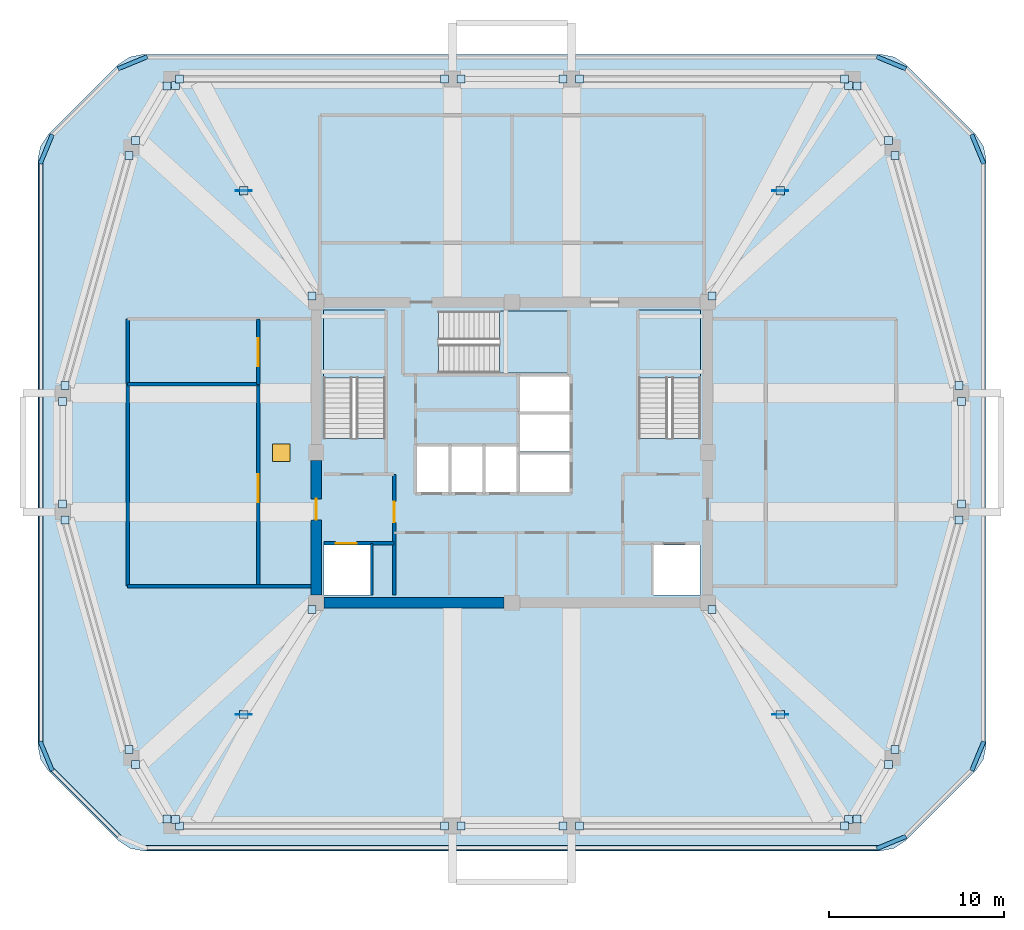
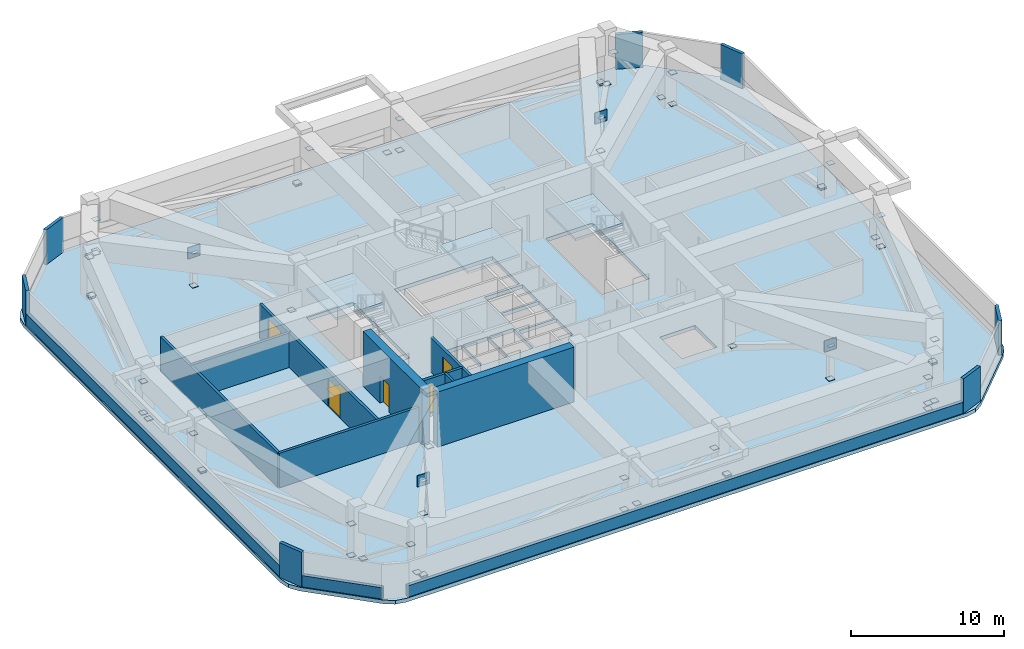
# One storey, part 3 of 9: 75 plates, 13 walls, 6 doors, 4 slabs, 6 openings, 3 elements without a shape of their own.
"""IFC4 building model written with IfcOpenShell, lengths in metres."""

from ifc_helpers import new_model, si_unit, derived_unit, direction, frame, frame_2d, origin, origin_2d, place, context, subcontext, project, spatial, polyline, rectangle, outline, extrude, material, layer, layer_set, type_object, element, fill, aggregate, save


model = new_model("IFC4")

# Units and contexts
model_context = context("Model", 3, precision=1e-05, world=origin(), true_north=direction((0.0, 1.0)))
body_context = subcontext(model_context, "Body", "Model", "MODEL_VIEW")
ifc_project = project(units=[si_unit("LENGTHUNIT", "METRE"), si_unit("AREAUNIT", "SQUARE_METRE"), si_unit("VOLUMEUNIT", "CUBIC_METRE"), si_unit("PLANEANGLEUNIT", "RADIAN"), si_unit("MASSUNIT", "GRAM", prefix="KILO"), derived_unit("THERMALTRANSMITTANCEUNIT", [(si_unit("POWERUNIT", "WATT"), 1), (si_unit("LENGTHUNIT", "METRE"), -2), (si_unit("THERMODYNAMICTEMPERATUREUNIT", "KELVIN"), -1)])], contexts=[model_context])

# Site, building, storey
site_placement = place(None, origin())
site = spatial("IfcSite", under=ifc_project, at=site_placement, CompositionType="ELEMENT")
building_placement = place(site_placement, origin())
building = spatial("IfcBuilding", under=site, at=building_placement, Name="Koralith Skygarden Medical Center", CompositionType="ELEMENT")
storey_placement = place(building_placement, frame((0.0, 0.0, 232.3798828125)))
storey = spatial("IfcBuildingStorey", under=building, at=storey_placement, Name="L60", CompositionType="ELEMENT", Elevation=232.3798828125)

# Stair, slab
ifc_material_1 = material(Name="Concrete C45/55", Category="concrete")
stair_type = type_object("IfcStairType", Name="Core Exit Dogleg Concrete Stair", PredefinedType="HALF_TURN_STAIR", material=ifc_material_1)
stair_1_placement = place(storey_placement, origin())
stair_1 = element("IfcStair", 1, at=stair_1_placement, inside=storey, type_object=stair_type, Name="L60 Smokeproof Exit Stair ST1", PredefinedType="HALF_TURN_STAIR")
ifc_layer_1 = layer(ifc_material_1, 0.199951171875)
ifc_layer_set_1 = layer_set([ifc_layer_1], Name="Concrete C45/55")
slab_type_1 = type_object("IfcSlabType", Name="Core Exit Concrete Stair Landing 200", PredefinedType="LANDING", material=ifc_layer_set_1)
slab_1_placement = place(storey_placement, frame((0.0, 0.0, 2.14013671875)))
slab_1 = element("IfcSlab", 2, at=slab_1_placement, type_object=slab_type_1, Name="ST1 landing 1", PredefinedType="LANDING", context=body_context, shape_type="SweptSolid", body=[
    extrude(outline(polyline([(29.75, 30.179931640625), (29.75, 34.050048828125), (26.199951171875, 34.050048828125), (26.199951171875, 30.179931640625), (29.75, 30.179931640625)])), origin(), (0.0, 0.0, 1.0), 0.199951171875),
])
aggregate(stair_1, [slab_1])

stair_2_placement = place(storey_placement, origin())
stair_2 = element("IfcStair", 3, at=stair_2_placement, inside=storey, type_object=stair_type, Name="L60 Smokeproof Exit Stair ST2", PredefinedType="HALF_TURN_STAIR")
slab_2_placement = place(storey_placement, frame((0.0, 0.0, 2.14013671875)))
slab_2 = element("IfcSlab", 4, at=slab_2_placement, type_object=slab_type_1, Name="ST2 landing 1", PredefinedType="LANDING", context=body_context, shape_type="SweptSolid", body=[
    extrude(outline(polyline([(47.800048828125, 30.179931640625), (47.800048828125, 34.050048828125), (44.25, 34.050048828125), (44.25, 30.179931640625), (47.800048828125, 30.179931640625)])), origin(), (0.0, 0.0, 1.0), 0.199951171875),
])
aggregate(stair_2, [slab_2])

stair_3_placement = place(storey_placement, origin())
stair_3 = element("IfcStair", 5, at=stair_3_placement, inside=storey, type_object=stair_type, Name="L60 Smokeproof Exit Stair ST3", PredefinedType="HALF_TURN_STAIR")
slab_3_placement = place(storey_placement, frame((0.0, 0.0, 2.14013671875)))
slab_3 = element("IfcSlab", 6, at=slab_3_placement, type_object=slab_type_1, Name="ST3 landing 1", PredefinedType="LANDING", context=body_context, shape_type="SweptSolid", body=[
    extrude(outline(polyline([(36.280029296875, 30.449951171875), (40.199951171875, 30.449951171875), (40.199951171875, 34.0), (36.280029296875, 34.0), (36.280029296875, 30.449951171875)])), origin(), (0.0, 0.0, 1.0), 0.199951171875),
])
aggregate(stair_3, [slab_3])

# Plates
ifc_material_2 = material(Name="Steel ASTM A572 Grade 50", Category="steel")
ifc_layer_2 = layer(ifc_material_2, 0.02490234375)
ifc_layer_set_2 = layer_set([ifc_layer_2], Name="Steel ASTM A572 Grade 50")
plate_type_1 = type_object("IfcPlateType", Name="Hollow Section End Cap Plate 25", PredefinedType="SHEET", material=ifc_layer_set_2)
for number, where, z_axis, x_axis, name in (
    (7, (25.554931640625, 16.923095703125, 0.337646484375), (0.0, 0.0, 1.0), (1.0, 0.0, 0.0), "L60 Outrigger End Cap 01A"),
    (8, (21.64501953125, 10.909912109375, 2.7177734375), (0.0, 0.0, 1.0), (1.0, 0.0, 0.0), "L60 Outrigger Apex Cap 01M"),
    (9, (17.735107421875, 4.89697265625, 0.337646484375), (0.0, 0.0, 1.0), (1.0, 0.0, 0.0), "L60 Outrigger End Cap 01B"),
    (10, (21.64501953125, 10.909912109375, 0.007568359375), (0.0, 0.0, 1.0), (1.0, 0.0, 0.0), "L60 Outrigger Post Base Plate 01"),
    (11, (25.554931640625, 34.876953125, 0.337646484375), (0.0, 0.0, 1.0), (1.0, 0.0, 0.0), "L60 Outrigger End Cap 02A"),
    (12, (21.64501953125, 40.889892578125, 2.7177734375), (0.0, 0.0, 1.0), (1.0, 0.0, 0.0), "L60 Outrigger Apex Cap 02M"),
    (13, (17.735107421875, 46.903076171875, 0.337646484375), (0.0, 0.0, 1.0), (1.0, 0.0, 0.0), "L60 Outrigger End Cap 02B"),
    (14, (21.64501953125, 40.889892578125, 0.007568359375), (0.0, 0.0, 1.0), (1.0, 0.0, 0.0), "L60 Outrigger Post Base Plate 02"),
    (15, (48.445068359375, 16.923095703125, 0.337646484375), (0.0, 0.0, 1.0), (1.0, 0.0, 0.0), "L60 Outrigger End Cap 03A"),
    (16, (52.35498046875, 10.909912109375, 2.7177734375), (0.0, 0.0, 1.0), (1.0, 0.0, 0.0), "L60 Outrigger Apex Cap 03M"),
    (17, (56.264892578125, 4.89697265625, 0.337646484375), (0.0, 0.0, 1.0), (1.0, 0.0, 0.0), "L60 Outrigger End Cap 03B"),
    (18, (52.35498046875, 10.909912109375, 0.007568359375), (0.0, 0.0, 1.0), (1.0, 0.0, 0.0), "L60 Outrigger Post Base Plate 03"),
    (19, (48.445068359375, 34.876953125, 0.337646484375), (0.0, 0.0, 1.0), (1.0, 0.0, 0.0), "L60 Outrigger End Cap 04A"),
    (20, (52.35498046875, 40.889892578125, 2.7177734375), (0.0, 0.0, 1.0), (1.0, 0.0, 0.0), "L60 Outrigger Apex Cap 04M"),
    (21, (56.264892578125, 46.903076171875, 0.337646484375), (0.0, 0.0, 1.0), (1.0, 0.0, 0.0), "L60 Outrigger End Cap 04B"),
    (22, (52.35498046875, 40.889892578125, 0.007568359375), (0.0, 0.0, 1.0), (1.0, 0.0, 0.0), "L60 Outrigger Post Base Plate 04"),
    (23, (11.404052734375, 22.047119140625, 0.337646484375), (0.0, 0.0, 1.0), (1.0, 0.0, 0.0), "L60 Belt Brace Cap 01A"),
    (24, (15.072021484375, 8.89306640625, 2.7177734375), (0.0, 0.0, 1.0), (1.0, 0.0, 0.0), "L60 Belt Brace Cap 01B"),
    (25, (11.404052734375, 22.047119140625, 0.207763671875), (0.0, 0.0, 1.0), (1.0, 0.0, 0.0), "L60 Belt Chord Cap 01A"),
    (26, (15.072021484375, 8.89306640625, 0.207763671875), (0.0, 0.0, 1.0), (1.0, 0.0, 0.0), "L60 Belt Chord Cap 01B"),
    (27, (15.43505859375, 8.033935546875, 0.337646484375), (0.0, 0.0, 1.0), (1.0, 0.0, 0.0), "L60 Belt Brace Cap 02A"),
    (28, (17.2529296875, 4.926025390625, 2.7177734375), (0.0, 0.0, 1.0), (1.0, 0.0, 0.0), "L60 Belt Brace Cap 02B"),
    (29, (17.9599609375, 4.52001953125, 0.337646484375), (0.0, 0.0, 1.0), (1.0, 0.0, 0.0), "L60 Belt Brace Cap 03A"),
    (30, (33.1298828125, 4.52001953125, 2.7177734375), (0.0, 0.0, 1.0), (1.0, 0.0, 0.0), "L60 Belt Brace Cap 03B"),
    (31, (17.9599609375, 4.52001953125, 0.207763671875), (0.0, 0.0, 1.0), (1.0, 0.0, 0.0), "L60 Belt Chord Cap 03A"),
    (32, (33.1298828125, 4.52001953125, 0.207763671875), (0.0, 0.0, 1.0), (1.0, 0.0, 0.0), "L60 Belt Chord Cap 03B"),
    (33, (34.070068359375, 4.52001953125, 0.337646484375), (0.0, 0.0, 1.0), (1.0, 0.0, 0.0), "L60 Belt Brace Cap 04A"),
    (34, (39.929931640625, 4.52001953125, 2.7177734375), (0.0, 0.0, 1.0), (1.0, 0.0, 0.0), "L60 Belt Brace Cap 04B"),
    (35, (40.8701171875, 4.52001953125, 0.337646484375), (0.0, 0.0, 1.0), (1.0, 0.0, 0.0), "L60 Belt Brace Cap 05A"),
    (36, (56.0400390625, 4.52001953125, 2.7177734375), (0.0, 0.0, 1.0), (1.0, 0.0, 0.0), "L60 Belt Brace Cap 05B"),
    (37, (40.8701171875, 4.52001953125, 0.207763671875), (0.0, 0.0, 1.0), (1.0, 0.0, 0.0), "L60 Belt Chord Cap 05A"),
    (38, (56.0400390625, 4.52001953125, 0.207763671875), (0.0, 0.0, 1.0), (1.0, 0.0, 0.0), "L60 Belt Chord Cap 05B"),
    (39, (56.7470703125, 4.926025390625, 0.337646484375), (0.0, 0.0, 1.0), (1.0, 0.0, 0.0), "L60 Belt Brace Cap 06A"),
    (40, (58.56494140625, 8.033935546875, 2.7177734375), (0.0, 0.0, 1.0), (1.0, 0.0, 0.0), "L60 Belt Brace Cap 06B"),
    (41, (58.927978515625, 8.89306640625, 0.337646484375), (0.0, 0.0, 1.0), (1.0, 0.0, 0.0), "L60 Belt Brace Cap 07A"),
    (42, (62.595947265625, 22.047119140625, 2.7177734375), (0.0, 0.0, 1.0), (1.0, 0.0, 0.0), "L60 Belt Brace Cap 07B"),
    (43, (58.927978515625, 8.89306640625, 0.207763671875), (0.0, 0.0, 1.0), (1.0, 0.0, 0.0), "L60 Belt Chord Cap 07A"),
    (44, (62.595947265625, 22.047119140625, 0.207763671875), (0.0, 0.0, 1.0), (1.0, 0.0, 0.0), "L60 Belt Chord Cap 07B"),
    (45, (62.721923828125, 22.969970703125, 0.337646484375), (0.0, 0.0, 1.0), (1.0, 0.0, 0.0), "L60 Belt Brace Cap 08A"),
    (46, (62.721923828125, 28.830078125, 2.7177734375), (0.0, 0.0, 1.0), (1.0, 0.0, 0.0), "L60 Belt Brace Cap 08B"),
    (47, (62.595947265625, 29.7529296875, 0.337646484375), (0.0, 0.0, 1.0), (1.0, 0.0, 0.0), "L60 Belt Brace Cap 09A"),
    (48, (58.927978515625, 42.906982421875, 2.7177734375), (0.0, 0.0, 1.0), (1.0, 0.0, 0.0), "L60 Belt Brace Cap 09B"),
    (49, (62.595947265625, 29.7529296875, 0.207763671875), (0.0, 0.0, 1.0), (1.0, 0.0, 0.0), "L60 Belt Chord Cap 09A"),
    (50, (58.927978515625, 42.906982421875, 0.207763671875), (0.0, 0.0, 1.0), (1.0, 0.0, 0.0), "L60 Belt Chord Cap 09B"),
    (51, (58.56494140625, 43.76611328125, 0.337646484375), (0.0, 0.0, 1.0), (1.0, 0.0, 0.0), "L60 Belt Brace Cap 10A"),
    (52, (56.7470703125, 46.8740234375, 2.7177734375), (0.0, 0.0, 1.0), (1.0, 0.0, 0.0), "L60 Belt Brace Cap 10B"),
    (53, (56.0400390625, 47.280029296875, 0.337646484375), (0.0, 0.0, 1.0), (1.0, 0.0, 0.0), "L60 Belt Brace Cap 11A"),
    (54, (40.8701171875, 47.280029296875, 2.7177734375), (0.0, 0.0, 1.0), (1.0, 0.0, 0.0), "L60 Belt Brace Cap 11B"),
    (55, (56.0400390625, 47.280029296875, 0.207763671875), (0.0, 0.0, 1.0), (1.0, 0.0, 0.0), "L60 Belt Chord Cap 11A"),
    (56, (40.8701171875, 47.280029296875, 0.207763671875), (0.0, 0.0, 1.0), (1.0, 0.0, 0.0), "L60 Belt Chord Cap 11B"),
    (57, (39.929931640625, 47.280029296875, 0.337646484375), (0.0, 0.0, 1.0), (1.0, 0.0, 0.0), "L60 Belt Brace Cap 12A"),
    (58, (34.070068359375, 47.280029296875, 2.7177734375), (0.0, 0.0, 1.0), (1.0, 0.0, 0.0), "L60 Belt Brace Cap 12B"),
    (59, (33.1298828125, 47.280029296875, 0.337646484375), (0.0, 0.0, 1.0), (1.0, 0.0, 0.0), "L60 Belt Brace Cap 13A"),
    (60, (17.9599609375, 47.280029296875, 2.7177734375), (0.0, 0.0, 1.0), (1.0, 0.0, 0.0), "L60 Belt Brace Cap 13B"),
    (61, (33.1298828125, 47.280029296875, 0.207763671875), (0.0, 0.0, 1.0), (1.0, 0.0, 0.0), "L60 Belt Chord Cap 13A"),
    (62, (17.9599609375, 47.280029296875, 0.207763671875), (0.0, 0.0, 1.0), (1.0, 0.0, 0.0), "L60 Belt Chord Cap 13B"),
    (63, (17.2529296875, 46.8740234375, 0.337646484375), (0.0, 0.0, 1.0), (1.0, 0.0, 0.0), "L60 Belt Brace Cap 14A"),
    (64, (15.43505859375, 43.76611328125, 2.7177734375), (0.0, 0.0, 1.0), (1.0, 0.0, 0.0), "L60 Belt Brace Cap 14B"),
    (65, (15.072021484375, 42.906982421875, 0.337646484375), (0.0, 0.0, 1.0), (1.0, 0.0, 0.0), "L60 Belt Brace Cap 15A"),
    (66, (11.404052734375, 29.7529296875, 2.7177734375), (0.0, 0.0, 1.0), (1.0, 0.0, 0.0), "L60 Belt Brace Cap 15B"),
    (67, (15.072021484375, 42.906982421875, 0.207763671875), (0.0, 0.0, 1.0), (1.0, 0.0, 0.0), "L60 Belt Chord Cap 15A"),
    (68, (11.404052734375, 29.7529296875, 0.207763671875), (0.0, 0.0, 1.0), (1.0, 0.0, 0.0), "L60 Belt Chord Cap 15B"),
    (69, (11.278076171875, 28.830078125, 0.337646484375), (0.0, 0.0, 1.0), (1.0, 0.0, 0.0), "L60 Belt Brace Cap 16A"),
    (70, (11.278076171875, 22.969970703125, 2.7177734375), (0.0, 0.0, 1.0), (1.0, 0.0, 0.0), "L60 Belt Brace Cap 16B"),
):
    element("IfcPlate", number, at=place(storey_placement, frame(where, z_axis=z_axis, x_axis=x_axis)), inside=storey, type_object=plate_type_1, Name=name, PredefinedType="SHEET", context=body_context, shape_type="SweptSolid", body=[
        extrude(rectangle(XDim=0.4599609375, YDim=0.4599609375, at=origin_2d()), origin(), (0.0, 0.0, 1.0), 0.02490234375),
    ])
ifc_layer_3 = layer(ifc_material_2, 0.0400390625)
ifc_layer_set_3 = layer_set([ifc_layer_3], Name="Steel ASTM A572 Grade 50")
plate_type_2 = type_object("IfcPlateType", Name="Outrigger Truss Gusset Plate 40", PredefinedType="USERDEFINED", material=ifc_layer_set_3)
for number, where, z_axis, x_axis, name in (
    (71, (21.64501953125, 10.909912109375, 2.2802734375), (0.0, 0.0, 1.0), (1.0, 0.0, 0.0), "L60 Outrigger Node Gusset Plate ORG-01"),
    (72, (21.64501953125, 40.889892578125, 2.2802734375), (0.0, 0.0, 1.0), (1.0, 0.0, 0.0), "L60 Outrigger Node Gusset Plate ORG-02"),
    (73, (52.35498046875, 10.909912109375, 2.2802734375), (0.0, 0.0, 1.0), (1.0, 0.0, 0.0), "L60 Outrigger Node Gusset Plate ORG-03"),
    (74, (52.35498046875, 40.889892578125, 2.2802734375), (0.0, 0.0, 1.0), (1.0, 0.0, 0.0), "L60 Outrigger Node Gusset Plate ORG-04"),
):
    element("IfcPlate", number, at=place(storey_placement, frame(where, z_axis=z_axis, x_axis=x_axis)), inside=storey, type_object=plate_type_2, Name=name, ObjectType="GUSSET_PLATE", PredefinedType="USERDEFINED", context=body_context, shape_type="SweptSolid", body=[
        extrude(rectangle(XDim=0.89990234375, YDim=0.0400390625, at=origin_2d()), origin(), (0.0, 0.0, 1.0), 0.89990234375),
    ])

# Slab, opening, door
ifc_layer_4 = layer(ifc_material_1, 0.300048828125)
ifc_layer_set_4 = layer_set([ifc_layer_4], Name="Concrete C45/55")
slab_type_2 = type_object("IfcSlabType", Name="Podium & Diagnostic Stiffened Slab 300", PredefinedType="FLOOR", material=ifc_layer_set_4)
slab_4_placement = place(storey_placement, frame((0.0, 0.0, -0.2998046875)))
slab_4 = element("IfcSlab", 75, at=slab_4_placement, inside=storey, type_object=slab_type_2, Name="Level L60 Structural Floor Slab", PredefinedType="FLOOR", context=body_context, shape_type="SweptSolid", body=[
    extrude(outline(polyline([(14.471923828125, 3.68603515625), (15.12109375, 3.251953125), (15.885986328125, 3.10009765625), (58.114013671875, 3.10009765625), (58.87890625, 3.251953125), (59.528076171875, 3.68603515625), (63.555908203125, 7.714111328125), (63.989990234375, 8.363037109375), (64.14208984375, 9.1279296875), (64.14208984375, 42.672119140625), (63.989990234375, 43.43701171875), (63.555908203125, 44.0859375), (59.528076171875, 48.114013671875), (58.87890625, 48.548095703125), (58.114013671875, 48.699951171875), (15.885986328125, 48.699951171875), (15.12109375, 48.548095703125), (14.471923828125, 48.114013671875), (10.444091796875, 44.0859375), (10.010009765625, 43.43701171875), (9.85791015625, 42.672119140625), (9.85791015625, 9.1279296875), (10.010009765625, 8.363037109375), (10.444091796875, 7.714111328125), (14.471923828125, 3.68603515625)]), holes=[polyline([(26.199951171875, 26.705078125), (29.75, 26.705078125), (29.75, 34.050048828125), (26.199951171875, 34.050048828125), (26.199951171875, 26.705078125)]), polyline([(44.25, 26.705078125), (47.800048828125, 26.705078125), (47.800048828125, 34.050048828125), (44.25, 34.050048828125), (44.25, 26.705078125)]), polyline([(32.804931640625, 30.449951171875), (40.199951171875, 30.449951171875), (40.199951171875, 34.0), (32.804931640625, 34.0), (32.804931640625, 30.449951171875)]), polyline([(26.25, 17.75), (28.89990234375, 17.75), (28.89990234375, 20.60009765625), (26.25, 20.60009765625), (26.25, 17.75)]), polyline([(45.10009765625, 17.75), (47.75, 17.75), (47.75, 20.60009765625), (45.10009765625, 20.60009765625), (45.10009765625, 17.75)]), polyline([(31.550048828125, 23.64990234375), (33.39990234375, 23.64990234375), (33.39990234375, 26.25), (31.550048828125, 26.25), (31.550048828125, 23.64990234375)]), polyline([(33.5, 23.64990234375), (35.35009765625, 23.64990234375), (35.35009765625, 26.25), (33.5, 26.25), (33.5, 23.64990234375)]), polyline([(35.449951171875, 23.64990234375), (37.300048828125, 23.64990234375), (37.300048828125, 26.25), (35.449951171875, 26.25), (35.449951171875, 23.64990234375)]), polyline([(37.449951171875, 23.64990234375), (40.300048828125, 23.64990234375), (40.300048828125, 25.800048828125), (37.449951171875, 25.800048828125), (37.449951171875, 23.64990234375)]), polyline([(37.449951171875, 25.949951171875), (40.300048828125, 25.949951171875), (40.300048828125, 28.10009765625), (37.449951171875, 28.10009765625), (37.449951171875, 25.949951171875)]), polyline([(37.449951171875, 28.25), (40.300048828125, 28.25), (40.300048828125, 30.25), (37.449951171875, 30.25), (37.449951171875, 28.25)])]), origin(), (0.0, 0.0, 1.0), 0.2998046875),
])
opening_1_placement = place(slab_4_placement, frame((23.800048828125, 25.89990234375, -0.010009765625)))
opening_1 = element("IfcOpeningElement", 76, at=opening_1_placement, cuts=slab_4, Name="Opening D-HAT", PredefinedType="OPENING", context=body_context, shape_type="SweptSolid", body=[
    extrude(rectangle(XDim=1.0, YDim=1.0, at=origin_2d()), origin(), (0.0, 0.0, 1.0), 0.31982421875),
])
ifc_material_3 = material(Name="Steel ASTM A500 Grade C", Category="steel")
door_type_1 = type_object("IfcDoorType", Name="Roof & Shaft Maintenance Access Hatch H-RF 1000", OperationType="NOTDEFINED", PredefinedType="TRAPDOOR", material=ifc_material_3)
door_1_placement = place(opening_1_placement, frame((0.0, 0.0, 0.289794921875)))
door_1 = element("IfcDoor", 77, at=door_1_placement, inside=storey, type_object=door_type_1, Name="L60 Service Access Hatch H-05", OperationType="SINGLE_SWING_LEFT", OverallHeight=1.0, OverallWidth=1.0, PredefinedType="TRAPDOOR", context=body_context, shape_type="SweptSolid", body=[
    extrude(rectangle(XDim=1.0, YDim=1.0, at=origin_2d()), origin(), (0.0, 0.0, 1.0), 0.02001953125),
])
fill(opening_1, door_1)

# Plates
ifc_material_4 = material(Name="Warm Oolitic Limestone Cladding", Category="masonry")
ifc_layer_5 = layer(ifc_material_4, 0.239990234375)
ifc_layer_set_5 = layer_set([ifc_layer_5], Name="Warm Oolitic Limestone Cladding")
plate_type_3 = type_object("IfcPlateType", Name="Rounded-Corner Oolitic Limestone Cladding Panel 240", PredefinedType="USERDEFINED", material=ifc_layer_set_5)
for number, where, z_axis, x_axis, name in (
    (78, (58.712890625, 3.580078125, 0.0), (0.0, 0.0, 1.0), (0.92388487569, 0.382670532536, 0.0), "L60 Rounded-Corner Limestone Pier 1"),
    (79, (63.662109375, 8.530029296875, 0.0), (0.0, 0.0, 1.0), (0.382670532536, 0.92388487569, 0.0), "L60 Rounded-Corner Limestone Pier 2"),
    (80, (63.662109375, 43.27001953125, 0.0), (0.0, 0.0, 1.0), (-0.382670532536, 0.92388487569, 0.0), "L60 Rounded-Corner Limestone Pier 3"),
    (81, (58.712890625, 48.218994140625, 0.0), (0.0, 0.0, 1.0), (-0.92388487569, 0.382670532536, 0.0), "L60 Rounded-Corner Limestone Pier 4"),
    (82, (15.2880859375, 48.218994140625, 0.0), (0.0, 0.0, 1.0), (-0.92388487569, -0.382670532536, 0.0), "L60 Rounded-Corner Limestone Pier 5"),
    (83, (10.337890625, 43.27001953125, 0.0), (0.0, 0.0, 1.0), (-0.382670532536, -0.92388487569, 0.0), "L60 Rounded-Corner Limestone Pier 6"),
    (84, (10.337890625, 8.530029296875, 0.0), (0.0, 0.0, 1.0), (0.382670532536, -0.92388487569, 0.0), "L60 Rounded-Corner Limestone Pier 7"),
):
    element("IfcPlate", number, at=place(storey_placement, frame(where, z_axis=z_axis, x_axis=x_axis)), inside=storey, type_object=plate_type_3, Name=name, ObjectType="LIMESTONE CLADDING", PredefinedType="USERDEFINED", context=body_context, shape_type="SweptSolid", body=[
        extrude(rectangle(XDim=1.81103515625, YDim=0.239990234375, at=origin_2d()), origin(), (0.0, 0.0, 1.0), 2.77001953125),
    ])

# Wall, opening, door
ifc_material_5 = material(Name="Gypsum Board Partition")
ifc_layer_6 = layer(ifc_material_5, 0.199951171875)
ifc_layer_set_6 = layer_set([ifc_layer_6], Name="Gypsum Board Partition")
wall_type_1 = type_object("IfcWallType", Name="Fire Shaft Wall 200", PredefinedType="SOLIDWALL", material=ifc_layer_set_6)
wall_1_placement = place(storey_placement, frame((26.25, 20.699951171875, 0.0), z_axis=(0.0, 0.0, 1.0), x_axis=(1.0, 0.0, 0.0)))
wall_1 = element("IfcWall", 85, at=wall_1_placement, inside=storey, type_object=wall_type_1, Name="L60 Fire Shaft Wall 200 W-CORE-L60-FF1-N", PredefinedType="SOLIDWALL", context=body_context, shape_type="SweptSolid", body=[
    extrude(rectangle(XDim=4.0, YDim=0.199951171875, at=frame_2d((2.0, 0.0))), origin(), (0.0, 0.0, 1.0), 2.75),
])
opening_2_placement = place(wall_1_placement, frame((0.64990234375, 0.0, 0.0)))
opening_2 = element("IfcOpeningElement", 86, at=opening_2_placement, cuts=wall_1, Name="Opening LD-FF", PredefinedType="OPENING", context=body_context, shape_type="SweptSolid", body=[
    extrude(rectangle(XDim=1.199951171875, YDim=2.14990234375, at=frame_2d((0.60009765625, 1.074951171875))), frame((0.0, 0.10986328125, 0.0), z_axis=(0.0, -1.0, 0.0), x_axis=(1.0, 0.0, 0.0)), (0.0, 0.0, 1.0), 0.219970703125),
])
door_type_2 = type_object("IfcDoorType", Name="Fire Lift Sliding Landing Door LD-FF 1200", OperationType="NOTDEFINED", PredefinedType="DOOR", material=ifc_material_3)
door_2_placement = place(opening_2_placement, origin())
door_2 = element("IfcDoor", 87, at=door_2_placement, inside=storey, type_object=door_type_2, Name="L60 Fire Service Elevator FF1 Landing Door", OperationType="SLIDING_TO_LEFT", OverallHeight=2.14990234375, OverallWidth=1.199951171875, PredefinedType="DOOR", context=body_context, shape_type="SweptSolid", body=[
    extrude(rectangle(XDim=1.199951171875, YDim=2.14990234375, at=frame_2d((0.60009765625, 1.074951171875))), frame((0.0, 0.02490234375, 0.0), z_axis=(0.0, -1.0, 0.0), x_axis=(1.0, 0.0, 0.0)), (0.0, 0.0, 1.0), 0.050048828125),
])
fill(opening_2, door_2)

wall_2_placement = place(storey_placement, frame((30.25, 17.75, 0.0), z_axis=(0.0, 0.0, 1.0), x_axis=(0.0, 1.0, 0.0)))
wall_2 = element("IfcWall", 88, at=wall_2_placement, inside=storey, type_object=wall_type_1, Name="L60 Fire Shaft Wall 200 W-CORE-L60-FSAEW-E", PredefinedType="SOLIDWALL", context=body_context, shape_type="SweptSolid", body=[
    extrude(rectangle(XDim=6.89990234375, YDim=0.199951171875, at=frame_2d((3.449951171875, 0.0))), origin(), (0.0, 0.0, 1.0), 2.75),
])
opening_3_placement = place(wall_2_placement, frame((4.14990234375, 0.0, 0.0)))
opening_3 = element("IfcOpeningElement", 89, at=opening_3_placement, cuts=wall_2, Name="Opening D-ST60", PredefinedType="OPENING", context=body_context, shape_type="SweptSolid", body=[
    extrude(rectangle(XDim=1.199951171875, YDim=2.14990234375, at=frame_2d((0.60009765625, 1.074951171875))), frame((0.0, 0.10986328125, 0.0), z_axis=(0.0, -1.0, 0.0), x_axis=(1.0, 0.0, 0.0)), (0.0, 0.0, 1.0), 0.219970703125),
])
door_type_3 = type_object("IfcDoorType", Name="Smokeproof Stair Fire Door FD60S 1200", OperationType="NOTDEFINED", PredefinedType="DOOR", material=ifc_material_3)
door_3_placement = place(opening_3_placement, origin())
door_3 = element("IfcDoor", 90, at=door_3_placement, inside=storey, type_object=door_type_3, Name="L60 West Firefighting Lobby Inner Fire Door", OperationType="SINGLE_SWING_LEFT", OverallHeight=2.14990234375, OverallWidth=1.199951171875, PredefinedType="DOOR", context=body_context, shape_type="SweptSolid", body=[
    extrude(rectangle(XDim=1.199951171875, YDim=2.14990234375, at=frame_2d((0.60009765625, 1.074951171875))), frame((0.0, 0.02490234375, 0.0), z_axis=(0.0, -1.0, 0.0), x_axis=(1.0, 0.0, 0.0)), (0.0, 0.0, 1.0), 0.050048828125),
])
fill(opening_3, door_3)

# Walls
wall_3_placement = place(storey_placement, frame((15.0, 18.25, 0.0), z_axis=(0.0, 0.0, 1.0), x_axis=(1.0, 0.0, 0.0)))
element("IfcWall", 91, at=wall_3_placement, inside=storey, type_object=wall_type_1, Name="L60 Fire Shaft Wall 200 W-PL-L60-WC-S", PredefinedType="SOLIDWALL", context=body_context, shape_type="SweptSolid", body=[
    extrude(rectangle(XDim=10.5, YDim=0.199951171875, at=frame_2d((5.25, 0.0))), origin(), (0.0, 0.0, 1.0), 2.75),
])
wall_4_placement = place(storey_placement, frame((15.0, 18.25, 0.0), z_axis=(0.0, 0.0, 1.0), x_axis=(0.0, 1.0, 0.0)))
element("IfcWall", 92, at=wall_4_placement, inside=storey, type_object=wall_type_1, Name="L60 Fire Shaft Wall 200 W-PL-L60-WP-W", PredefinedType="SOLIDWALL", context=body_context, shape_type="SweptSolid", body=[
    extrude(rectangle(XDim=15.300048828125, YDim=0.199951171875, at=frame_2d((7.64990234375, 0.0))), origin(), (0.0, 0.0, 1.0), 2.75),
])
wall_5_placement = place(storey_placement, frame((15.0, 29.800048828125, 0.0), z_axis=(0.0, 0.0, 1.0), x_axis=(1.0, 0.0, 0.0)))
element("IfcWall", 93, at=wall_5_placement, inside=storey, type_object=wall_type_1, Name="L60 Fire Shaft Wall 200 W-PL-L60-WP-M", PredefinedType="SOLIDWALL", context=body_context, shape_type="SweptSolid", body=[
    extrude(rectangle(XDim=7.47998046875, YDim=0.199951171875, at=frame_2d((3.739990234375, 0.0))), origin(), (0.0, 0.0, 1.0), 2.75),
])

# Wall, opening, door
wall_6_placement = place(storey_placement, frame((22.47998046875, 18.25, 0.0), z_axis=(0.0, 0.0, 1.0), x_axis=(0.0, 1.0, 0.0)))
wall_6 = element("IfcWall", 94, at=wall_6_placement, inside=storey, type_object=wall_type_1, Name="L60 Fire Shaft Wall 200 W-PL-L60-WC-W1", PredefinedType="SOLIDWALL", context=body_context, shape_type="SweptSolid", body=[
    extrude(rectangle(XDim=11.550048828125, YDim=0.199951171875, at=frame_2d((5.77490234375, 0.0))), origin(), (0.0, 0.0, 1.0), 2.75),
])
opening_4_placement = place(wall_6_placement, frame((4.800048828125, 0.0, 0.0)))
opening_4 = element("IfcOpeningElement", 95, at=opening_4_placement, cuts=wall_6, Name="Opening D-DBL", PredefinedType="OPENING", context=body_context, shape_type="SweptSolid", body=[
    extrude(rectangle(XDim=1.60009765625, YDim=2.199951171875, at=frame_2d((0.800048828125, 1.10009765625))), frame((0.0, 0.10986328125, 0.0), z_axis=(0.0, -1.0, 0.0), x_axis=(1.0, 0.0, 0.0)), (0.0, 0.0, 1.0), 0.219970703125),
])
ifc_material_6 = material(Name="Aluminium 6063-T6", Category="aluminium")
door_type_4 = type_object("IfcDoorType", Name="Double Clinical Suite Door D-DBL 1600", OperationType="NOTDEFINED", PredefinedType="DOOR", material=ifc_material_6)
door_4_placement = place(opening_4_placement, frame((1.60009765625, 0.0, 0.0), z_axis=(0.0, 0.0, 1.0), x_axis=(-1.0, 0.0, 0.0)))
door_4 = element("IfcDoor", 96, at=door_4_placement, inside=storey, type_object=door_type_4, Name="L60 West Pressurized Smoke Refuge Area Fire Door", OperationType="DOUBLE_DOOR_SINGLE_SWING", OverallHeight=2.199951171875, OverallWidth=1.60009765625, PredefinedType="DOOR", context=body_context, shape_type="SweptSolid", body=[
    extrude(rectangle(XDim=1.60009765625, YDim=2.199951171875, at=frame_2d((0.800048828125, 1.10009765625))), frame((0.0, 0.02490234375, 0.0), z_axis=(0.0, -1.0, 0.0), x_axis=(1.0, 0.0, 0.0)), (0.0, 0.0, 1.0), 0.050048828125),
])
fill(opening_4, door_4)

wall_7_placement = place(storey_placement, frame((22.47998046875, 29.800048828125, 0.0), z_axis=(0.0, 0.0, 1.0), x_axis=(0.0, 1.0, 0.0)))
wall_7 = element("IfcWall", 97, at=wall_7_placement, inside=storey, type_object=wall_type_1, Name="L60 Fire Shaft Wall 200 W-PL-L60-WC-W2", PredefinedType="SOLIDWALL", context=body_context, shape_type="SweptSolid", body=[
    extrude(rectangle(XDim=3.75, YDim=0.199951171875, at=frame_2d((1.875, 0.0))), origin(), (0.0, 0.0, 1.0), 2.75),
])
opening_5_placement = place(wall_7_placement, frame((1.050048828125, 0.0, 0.0)))
opening_5 = element("IfcOpeningElement", 98, at=opening_5_placement, cuts=wall_7, Name="Opening D-DBL", PredefinedType="OPENING", context=body_context, shape_type="SweptSolid", body=[
    extrude(rectangle(XDim=1.60009765625, YDim=2.199951171875, at=frame_2d((0.800048828125, 1.10009765625))), frame((0.0, 0.10986328125, 0.0), z_axis=(0.0, -1.0, 0.0), x_axis=(1.0, 0.0, 0.0)), (0.0, 0.0, 1.0), 0.219970703125),
])
door_5_placement = place(opening_5_placement, frame((1.60009765625, 0.0, 0.0), z_axis=(0.0, 0.0, 1.0), x_axis=(-1.0, 0.0, 0.0)))
door_5 = element("IfcDoor", 99, at=door_5_placement, inside=storey, type_object=door_type_4, Name="L60 Fire Reserve Water Booster and BMS Plant Room Fire Door", OperationType="DOUBLE_DOOR_SINGLE_SWING", OverallHeight=2.199951171875, OverallWidth=1.60009765625, PredefinedType="DOOR", context=body_context, shape_type="SweptSolid", body=[
    extrude(rectangle(XDim=1.60009765625, YDim=2.199951171875, at=frame_2d((0.800048828125, 1.10009765625))), frame((0.0, 0.02490234375, 0.0), z_axis=(0.0, -1.0, 0.0), x_axis=(1.0, 0.0, 0.0)), (0.0, 0.0, 1.0), 0.050048828125),
])
fill(opening_5, door_5)

# Walls
ifc_layer_7 = layer(ifc_material_4, 0.239990234375)
ifc_layer_set_7 = layer_set([ifc_layer_7], Name="Warm Oolitic Limestone Cladding")
wall_type_2 = type_object("IfcWallType", Name="Limestone Spandrel Sill Backup Wall 240", PredefinedType="SOLIDWALL", material=ifc_layer_set_7)
wall_8_placement = place(storey_placement, frame((16.012939453125, 3.280029296875, 0.0), z_axis=(0.0, 0.0, 1.0), x_axis=(1.0, 0.0, 0.0)))
element("IfcWall", 100, at=wall_8_placement, inside=storey, type_object=wall_type_2, Name="L60 Plant Sill Backup Wall S", PredefinedType="SOLIDWALL", context=body_context, shape_type="SweptSolid", body=[
    extrude(rectangle(XDim=41.97412109375, YDim=0.239990234375, at=frame_2d((20.987060546875, 0.0))), origin(), (0.0, 0.0, 1.0), 0.900146484375),
])
wall_9_placement = place(storey_placement, frame((10.0380859375, 42.544921875, 0.0), z_axis=(0.0, 0.0, 1.0), x_axis=(0.0, -1.0, 0.0)))
element("IfcWall", 101, at=wall_9_placement, inside=storey, type_object=wall_type_2, Name="L60 Plant Sill Backup Wall W", PredefinedType="SOLIDWALL", context=body_context, shape_type="SweptSolid", body=[
    extrude(rectangle(XDim=33.2900390625, YDim=0.239990234375, at=frame_2d((16.64501953125, 0.0))), origin(), (0.0, 0.0, 1.0), 0.900146484375),
])
wall_10_placement = place(storey_placement, frame((10.638916015625, 7.803955078125, 0.0), z_axis=(0.0, 0.0, 1.0), x_axis=(0.707128783731, -0.707084777957, 0.0)))
element("IfcWall", 102, at=wall_10_placement, inside=storey, type_object=wall_type_2, Name="L60 Plant Sill Backup Wall SW", PredefinedType="SOLIDWALL", context=body_context, shape_type="SweptSolid", body=[
    extrude(rectangle(XDim=5.5478515625, YDim=0.239990234375, at=frame_2d((2.77392578125, 0.0))), origin(), (0.0, 0.0, 1.0), 0.900146484375),
])
ifc_layer_8 = layer(ifc_material_5, 0.14990234375)
ifc_layer_set_8 = layer_set([ifc_layer_8], Name="Gypsum Board Partition")
wall_type_3 = type_object("IfcWallType", Name="Shaft Partition Wall 150", PredefinedType="PARTITIONING", material=ifc_layer_set_8)
wall_11_placement = place(storey_placement, frame((28.969970703125, 17.75, 0.0), z_axis=(0.0, 0.0, 1.0), x_axis=(0.0, 1.0, 0.0)))
element("IfcWall", 103, at=wall_11_placement, inside=storey, type_object=wall_type_3, Name="L60 Shaft Partition Wall 150 W-CORE-L60-RSRW-DIV", PredefinedType="PARTITIONING", context=body_context, shape_type="SweptSolid", body=[
    extrude(rectangle(XDim=2.949951171875, YDim=0.14990234375, at=frame_2d((1.47509765625, 0.0))), origin(), (0.0, 0.0, 1.0), 2.75),
])
ifc_material_7 = material(Name="Concrete C55/67", Category="concrete")
ifc_layer_9 = layer(ifc_material_7, 0.60009765625)
ifc_layer_set_9 = layer_set([ifc_layer_9], Name="Concrete C55/67")
wall_type_4 = type_object("IfcWallType", Name="Upper Core Shear Wall 600", PredefinedType="SHEAR", material=ifc_layer_set_9)
wall_12_placement = place(storey_placement, frame((26.2451171875, 17.300048828125, 0.0), z_axis=(0.0, 0.0, 1.0), x_axis=(1.0, 0.0, 0.0)))
element("IfcWall", 104, at=wall_12_placement, inside=storey, type_object=wall_type_4, Name="L60 Core Shear Wall Segment 1", PredefinedType="SHEAR", context=body_context, shape_type="SweptSolid", body=[
    extrude(rectangle(XDim=10.309814453125, YDim=0.60009765625, at=frame_2d((5.15478515625, 0.0))), origin(), (0.0, 0.0, 1.0), 4.380126953125),
])

# Wall, opening, door
wall_13_placement = place(storey_placement, frame((25.800048828125, 25.455078125, 0.0), z_axis=(0.0, 0.0, 1.0), x_axis=(0.0, -1.0, 0.0)))
wall_13 = element("IfcWall", 105, at=wall_13_placement, inside=storey, type_object=wall_type_4, Name="L60 Core Shear Wall Segment 8", PredefinedType="SHEAR", context=body_context, shape_type="SweptSolid", body=[
    extrude(rectangle(XDim=7.7099609375, YDim=0.60009765625, at=frame_2d((3.85498046875, 0.0))), origin(), (0.0, 0.0, 1.0), 4.380126953125),
])
opening_6_placement = place(wall_13_placement, frame((2.205078125, 0.0, 0.0)))
opening_6 = element("IfcOpeningElement", 106, at=opening_6_placement, cuts=wall_13, Name="Opening D-ST60", PredefinedType="OPENING", context=body_context, shape_type="SweptSolid", body=[
    extrude(rectangle(XDim=1.199951171875, YDim=2.14990234375, at=frame_2d((0.60009765625, 1.074951171875))), frame((0.0, 0.31005859375, 0.0), z_axis=(0.0, -1.0, 0.0), x_axis=(1.0, 0.0, 0.0)), (0.0, 0.0, 1.0), 0.6201171875),
])
door_6_placement = place(opening_6_placement, frame((1.199951171875, 0.0, 0.0), z_axis=(0.0, 0.0, 1.0), x_axis=(-1.0, 0.0, 0.0)))
door_6 = element("IfcDoor", 107, at=door_6_placement, inside=storey, type_object=door_type_3, Name="L60 West Corridor to Firefighting Lobby Door", OperationType="SINGLE_SWING_LEFT", OverallHeight=2.14990234375, OverallWidth=1.199951171875, PredefinedType="DOOR", context=body_context, shape_type="SweptSolid", body=[
    extrude(rectangle(XDim=1.199951171875, YDim=2.14990234375, at=frame_2d((0.60009765625, 1.074951171875))), frame((0.0, 0.02490234375, 0.0), z_axis=(0.0, -1.0, 0.0), x_axis=(1.0, 0.0, 0.0)), (0.0, 0.0, 1.0), 0.050048828125),
])
fill(opening_6, door_6)

save(model, "model.ifc")
